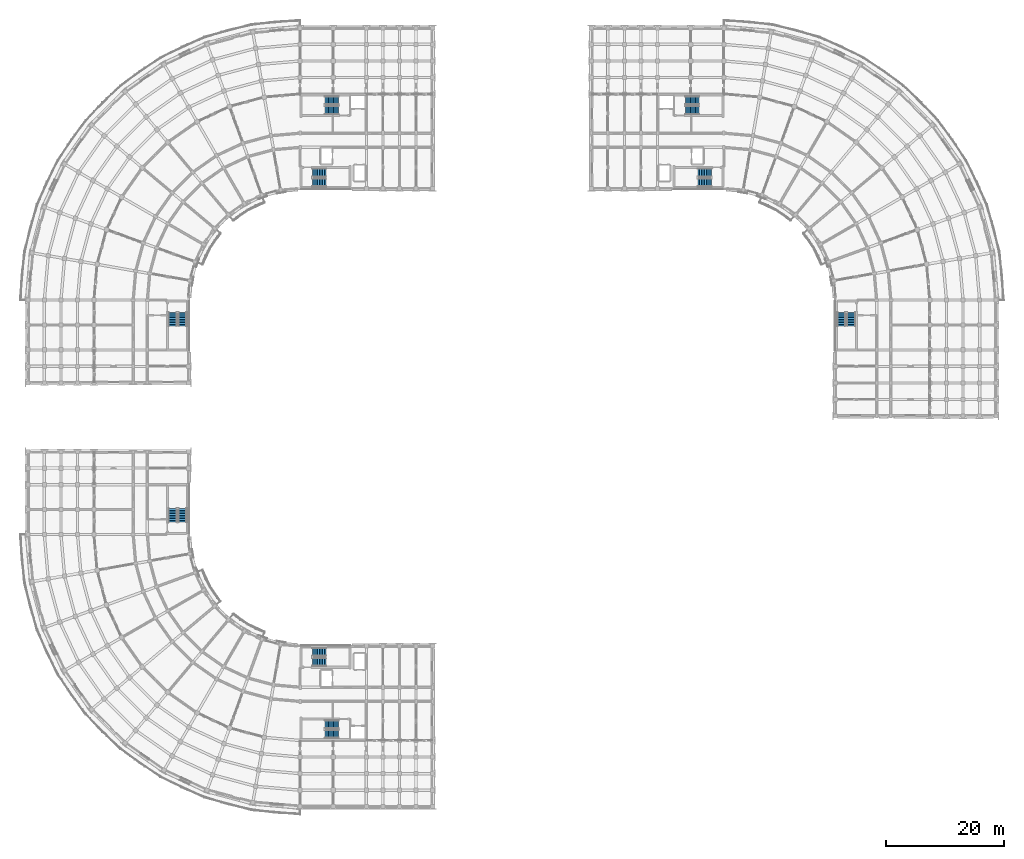
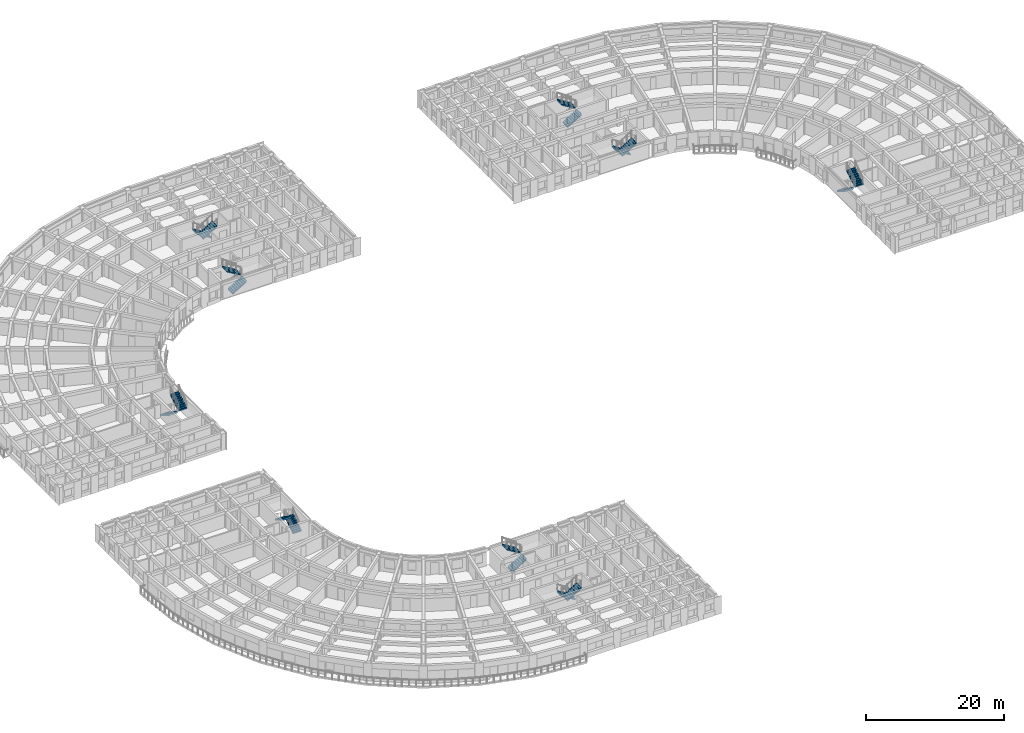
# One storey, part 39 of 57: 18 stair flights, 9 elements without a shape of their own.
"""IFC4 building model written with IfcOpenShell, lengths in metres."""

from ifc_helpers import new_model, si_unit, direction, frame, origin, place, context, subcontext, project, spatial, polyline, outline, extrude, material, type_object, element, aggregate, save


model = new_model("IFC4")

# Units and contexts
model_context = context("Model", 3, precision=1e-05, world=origin(), true_north=direction((0.0, 1.0)))
body_context = subcontext(model_context, "Body", "Model", "MODEL_VIEW")
ifc_project = project(units=[si_unit("LENGTHUNIT", "METRE"), si_unit("AREAUNIT", "SQUARE_METRE"), si_unit("VOLUMEUNIT", "CUBIC_METRE"), si_unit("PLANEANGLEUNIT", "RADIAN"), si_unit("MASSUNIT", "GRAM", prefix="KILO")], contexts=[model_context])

# Site, building, storey
site_placement = place(None, origin())
site = spatial("IfcSite", under=ifc_project, at=site_placement, CompositionType="ELEMENT")
building_placement = place(site_placement, origin())
building = spatial("IfcBuilding", under=site, at=building_placement, Name="Kiranvali Square Residences", CompositionType="ELEMENT")
storey_placement = place(building_placement, frame((0.0, 0.0, 18.14990234375)))
storey = spatial("IfcBuildingStorey", under=building, at=storey_placement, Name="L05", CompositionType="ELEMENT", Elevation=18.14990234375)

# Stair, stair flights
ifc_material = material(Name="Concrete M35 (35 MPa)", Category="concrete")
stair_type = type_object("IfcStairType", Name="ST-CORE-1700", PredefinedType="HALF_TURN_STAIR", material=ifc_material)
stair_1_placement = place(storey_placement, origin())
stair_1 = element("IfcStair", 1, at=stair_1_placement, inside=storey, type_object=stair_type, Name="L05 Block A Firefighting Exit Stair 1", PredefinedType="HALF_TURN_STAIR")
stair_flight_type = type_object("IfcStairFlightType", Name="STF-1700", PredefinedType="STRAIGHT", material=ifc_material)
stair_flight_1_placement = place(storey_placement, frame((54.699951171875, 121.52490234375, 0.0), z_axis=(0.0, 0.0, 1.0), x_axis=(-1.0, 0.0, 0.0)))
stair_flight_1 = element("IfcStairFlight", 2, at=stair_flight_1_placement, type_object=stair_flight_type, Name="ST-A1 flight 1", NumberOfRisers=9, NumberOfTreads=8, PredefinedType="STRAIGHT", RiserHeight=0.175, TreadLength=0.285, context=body_context, shape_type="SweptSolid", body=[
    extrude(outline(polyline([(-0.02001953125, -0.14990234375), (-0.02001953125, 0.0), (0.0, 0.0), (0.0, 0.175048828125), (0.284912109375, 0.175048828125), (0.284912109375, 0.35009765625), (0.570068359375, 0.35009765625), (0.570068359375, 0.52490234375), (0.85498046875, 0.52490234375), (0.85498046875, 0.699951171875), (1.139892578125, 0.699951171875), (1.139892578125, 0.875), (1.425048828125, 0.875), (1.425048828125, 1.050048828125), (1.7099609375, 1.050048828125), (1.7099609375, 1.22509765625), (1.9951171875, 1.22509765625), (1.9951171875, 1.39990234375), (2.280029296875, 1.39990234375), (2.280029296875, 1.574951171875), (2.300048828125, 1.574951171875), (2.300048828125, 1.22412109375), (2.280029296875, 1.22412109375), (0.0, -0.14990234375), (-0.02001953125, -0.14990234375)])), frame((0.0, 0.72509765625, 0.0), z_axis=(0.0, -1.0, 0.0), x_axis=(1.0, 0.0, 0.0)), (0.0, 0.0, 1.0), 1.449951171875),
])
stair_flight_2_placement = place(storey_placement, frame((52.419921875, 119.875, 1.5751953125), z_axis=(0.0, 0.0, 1.0), x_axis=(1.0, 0.0, 0.0)))
stair_flight_2 = element("IfcStairFlight", 3, at=stair_flight_2_placement, type_object=stair_flight_type, Name="ST-A1 flight 2", NumberOfRisers=9, NumberOfTreads=8, PredefinedType="STRAIGHT", RiserHeight=0.175, TreadLength=0.285, context=body_context, shape_type="SweptSolid", body=[
    extrude(outline(polyline([(-0.02001953125, -0.14990234375), (-0.02001953125, 0.0), (0.0, 0.0), (0.0, 0.175048828125), (0.284912109375, 0.175048828125), (0.284912109375, 0.35009765625), (0.570068359375, 0.35009765625), (0.570068359375, 0.52490234375), (0.85498046875, 0.52490234375), (0.85498046875, 0.699951171875), (1.139892578125, 0.699951171875), (1.139892578125, 0.875), (1.425048828125, 0.875), (1.425048828125, 1.050048828125), (1.7099609375, 1.050048828125), (1.7099609375, 1.22509765625), (1.9951171875, 1.22509765625), (1.9951171875, 1.39990234375), (2.280029296875, 1.39990234375), (2.280029296875, 1.574951171875), (2.300048828125, 1.574951171875), (2.300048828125, 1.22412109375), (2.280029296875, 1.22412109375), (0.0, -0.14990234375), (-0.02001953125, -0.14990234375)])), frame((0.0, 0.72509765625, 0.0), z_axis=(0.0, -1.0, 0.0), x_axis=(1.0, 0.0, 0.0)), (0.0, 0.0, 1.0), 1.449951171875),
])
aggregate(stair_1, [stair_flight_1, stair_flight_2])

stair_2_placement = place(storey_placement, origin())
stair_2 = element("IfcStair", 4, at=stair_2_placement, inside=storey, type_object=stair_type, Name="L05 Block A Protected Exit Stair 2", PredefinedType="HALF_TURN_STAIR")
stair_flight_3_placement = place(storey_placement, frame((50.300048828125, 107.675048828125, 0.0), z_axis=(0.0, 0.0, 1.0), x_axis=(1.0, 0.0, 0.0)))
stair_flight_3 = element("IfcStairFlight", 5, at=stair_flight_3_placement, type_object=stair_flight_type, Name="ST-A2 flight 1", NumberOfRisers=9, NumberOfTreads=8, PredefinedType="STRAIGHT", RiserHeight=0.175, TreadLength=0.285, context=body_context, shape_type="SweptSolid", body=[
    extrude(outline(polyline([(-0.02001953125, -0.14990234375), (-0.02001953125, 0.0), (0.0, 0.0), (0.0, 0.175048828125), (0.284912109375, 0.175048828125), (0.284912109375, 0.35009765625), (0.570068359375, 0.35009765625), (0.570068359375, 0.52490234375), (0.85498046875, 0.52490234375), (0.85498046875, 0.699951171875), (1.139892578125, 0.699951171875), (1.139892578125, 0.875), (1.425048828125, 0.875), (1.425048828125, 1.050048828125), (1.7099609375, 1.050048828125), (1.7099609375, 1.22509765625), (1.9951171875, 1.22509765625), (1.9951171875, 1.39990234375), (2.280029296875, 1.39990234375), (2.280029296875, 1.574951171875), (2.300048828125, 1.574951171875), (2.300048828125, 1.22412109375), (2.280029296875, 1.22412109375), (0.0, -0.14990234375), (-0.02001953125, -0.14990234375)])), frame((0.0, 0.72509765625, 0.0), z_axis=(0.0, -1.0, 0.0), x_axis=(1.0, 0.0, 0.0)), (0.0, 0.0, 1.0), 1.449951171875),
])
stair_flight_4_placement = place(storey_placement, frame((52.580078125, 109.324951171875, 1.5751953125), z_axis=(0.0, 0.0, 1.0), x_axis=(-1.0, 0.0, 0.0)))
stair_flight_4 = element("IfcStairFlight", 6, at=stair_flight_4_placement, type_object=stair_flight_type, Name="ST-A2 flight 2", NumberOfRisers=9, NumberOfTreads=8, PredefinedType="STRAIGHT", RiserHeight=0.175, TreadLength=0.285, context=body_context, shape_type="SweptSolid", body=[
    extrude(outline(polyline([(-0.02001953125, -0.14990234375), (-0.02001953125, 0.0), (0.0, 0.0), (0.0, 0.175048828125), (0.284912109375, 0.175048828125), (0.284912109375, 0.35009765625), (0.570068359375, 0.35009765625), (0.570068359375, 0.52490234375), (0.85498046875, 0.52490234375), (0.85498046875, 0.699951171875), (1.139892578125, 0.699951171875), (1.139892578125, 0.875), (1.425048828125, 0.875), (1.425048828125, 1.050048828125), (1.7099609375, 1.050048828125), (1.7099609375, 1.22509765625), (1.9951171875, 1.22509765625), (1.9951171875, 1.39990234375), (2.280029296875, 1.39990234375), (2.280029296875, 1.574951171875), (2.300048828125, 1.574951171875), (2.300048828125, 1.22412109375), (2.280029296875, 1.22412109375), (0.0, -0.14990234375), (-0.02001953125, -0.14990234375)])), frame((0.0, 0.72509765625, 0.0), z_axis=(0.0, -1.0, 0.0), x_axis=(1.0, 0.0, 0.0)), (0.0, 0.0, 1.0), 1.449951171875),
])
aggregate(stair_2, [stair_flight_3, stair_flight_4])

stair_3_placement = place(storey_placement, origin())
stair_3 = element("IfcStair", 7, at=stair_3_placement, inside=storey, type_object=stair_type, Name="L05 Block A Wing Protected Exit Stair 3", PredefinedType="HALF_TURN_STAIR")
stair_flight_5_placement = place(storey_placement, frame((26.675048828125, 85.699951171875, 0.0), z_axis=(0.0, 0.0, 1.0), x_axis=(0.0, -1.0, 0.0)))
stair_flight_5 = element("IfcStairFlight", 8, at=stair_flight_5_placement, type_object=stair_flight_type, Name="ST-A3 flight 1", NumberOfRisers=9, NumberOfTreads=8, PredefinedType="STRAIGHT", RiserHeight=0.175, TreadLength=0.285, context=body_context, shape_type="SweptSolid", body=[
    extrude(outline(polyline([(-0.02001953125, -0.14990234375), (-0.02001953125, 0.0), (0.0, 0.0), (0.0, 0.175048828125), (0.284912109375, 0.175048828125), (0.284912109375, 0.35009765625), (0.570068359375, 0.35009765625), (0.570068359375, 0.52490234375), (0.85498046875, 0.52490234375), (0.85498046875, 0.699951171875), (1.139892578125, 0.699951171875), (1.139892578125, 0.875), (1.425048828125, 0.875), (1.425048828125, 1.050048828125), (1.7099609375, 1.050048828125), (1.7099609375, 1.22509765625), (1.9951171875, 1.22509765625), (1.9951171875, 1.39990234375), (2.280029296875, 1.39990234375), (2.280029296875, 1.574951171875), (2.300048828125, 1.574951171875), (2.300048828125, 1.22412109375), (2.280029296875, 1.22412109375), (0.0, -0.14990234375), (-0.02001953125, -0.14990234375)])), frame((0.0, 0.72509765625, 0.0), z_axis=(0.0, -1.0, 0.0), x_axis=(1.0, 0.0, 0.0)), (0.0, 0.0, 1.0), 1.449951171875),
])
stair_flight_6_placement = place(storey_placement, frame((28.324951171875, 83.419921875, 1.5751953125), z_axis=(0.0, 0.0, 1.0), x_axis=(0.0, 1.0, 0.0)))
stair_flight_6 = element("IfcStairFlight", 9, at=stair_flight_6_placement, type_object=stair_flight_type, Name="ST-A3 flight 2", NumberOfRisers=9, NumberOfTreads=8, PredefinedType="STRAIGHT", RiserHeight=0.175, TreadLength=0.285, context=body_context, shape_type="SweptSolid", body=[
    extrude(outline(polyline([(-0.02001953125, -0.14990234375), (-0.02001953125, 0.0), (0.0, 0.0), (0.0, 0.175048828125), (0.284912109375, 0.175048828125), (0.284912109375, 0.35009765625), (0.570068359375, 0.35009765625), (0.570068359375, 0.52490234375), (0.85498046875, 0.52490234375), (0.85498046875, 0.699951171875), (1.139892578125, 0.699951171875), (1.139892578125, 0.875), (1.425048828125, 0.875), (1.425048828125, 1.050048828125), (1.7099609375, 1.050048828125), (1.7099609375, 1.22509765625), (1.9951171875, 1.22509765625), (1.9951171875, 1.39990234375), (2.280029296875, 1.39990234375), (2.280029296875, 1.574951171875), (2.300048828125, 1.574951171875), (2.300048828125, 1.22412109375), (2.280029296875, 1.22412109375), (0.0, -0.14990234375), (-0.02001953125, -0.14990234375)])), frame((0.0, 0.72509765625, 0.0), z_axis=(0.0, -1.0, 0.0), x_axis=(1.0, 0.0, 0.0)), (0.0, 0.0, 1.0), 1.449951171875),
])
aggregate(stair_3, [stair_flight_5, stair_flight_6])

stair_4_placement = place(storey_placement, origin())
stair_4 = element("IfcStair", 10, at=stair_4_placement, inside=storey, type_object=stair_type, Name="L05 Block B Firefighting Exit Stair 1", PredefinedType="HALF_TURN_STAIR")
stair_flight_7_placement = place(storey_placement, frame((113.300048828125, 119.875, 0.0), z_axis=(0.0, 0.0, 1.0), x_axis=(1.0, 0.0, 0.0)))
stair_flight_7 = element("IfcStairFlight", 11, at=stair_flight_7_placement, type_object=stair_flight_type, Name="ST-B1 flight 1", NumberOfRisers=9, NumberOfTreads=8, PredefinedType="STRAIGHT", RiserHeight=0.175, TreadLength=0.285, context=body_context, shape_type="SweptSolid", body=[
    extrude(outline(polyline([(-0.02001953125, -0.14990234375), (-0.02001953125, 0.0), (0.0, 0.0), (0.0, 0.175048828125), (0.284912109375, 0.175048828125), (0.284912109375, 0.35009765625), (0.570068359375, 0.35009765625), (0.570068359375, 0.52490234375), (0.85498046875, 0.52490234375), (0.85498046875, 0.699951171875), (1.139892578125, 0.699951171875), (1.139892578125, 0.875), (1.425048828125, 0.875), (1.425048828125, 1.050048828125), (1.7099609375, 1.050048828125), (1.7099609375, 1.22509765625), (1.9951171875, 1.22509765625), (1.9951171875, 1.39990234375), (2.280029296875, 1.39990234375), (2.280029296875, 1.574951171875), (2.300048828125, 1.574951171875), (2.300048828125, 1.22412109375), (2.280029296875, 1.22412109375), (0.0, -0.14990234375), (-0.02001953125, -0.14990234375)])), frame((0.0, 0.72509765625, 0.0), z_axis=(0.0, -1.0, 0.0), x_axis=(1.0, 0.0, 0.0)), (0.0, 0.0, 1.0), 1.449951171875),
])
stair_flight_8_placement = place(storey_placement, frame((115.580078125, 121.52490234375, 1.5751953125), z_axis=(0.0, 0.0, 1.0), x_axis=(-1.0, 0.0, 0.0)))
stair_flight_8 = element("IfcStairFlight", 12, at=stair_flight_8_placement, type_object=stair_flight_type, Name="ST-B1 flight 2", NumberOfRisers=9, NumberOfTreads=8, PredefinedType="STRAIGHT", RiserHeight=0.175, TreadLength=0.285, context=body_context, shape_type="SweptSolid", body=[
    extrude(outline(polyline([(-0.02001953125, -0.14990234375), (-0.02001953125, 0.0), (0.0, 0.0), (0.0, 0.175048828125), (0.284912109375, 0.175048828125), (0.284912109375, 0.35009765625), (0.570068359375, 0.35009765625), (0.570068359375, 0.52490234375), (0.85498046875, 0.52490234375), (0.85498046875, 0.699951171875), (1.139892578125, 0.699951171875), (1.139892578125, 0.875), (1.425048828125, 0.875), (1.425048828125, 1.050048828125), (1.7099609375, 1.050048828125), (1.7099609375, 1.22509765625), (1.9951171875, 1.22509765625), (1.9951171875, 1.39990234375), (2.280029296875, 1.39990234375), (2.280029296875, 1.574951171875), (2.300048828125, 1.574951171875), (2.300048828125, 1.22412109375), (2.280029296875, 1.22412109375), (0.0, -0.14990234375), (-0.02001953125, -0.14990234375)])), frame((0.0, 0.72509765625, 0.0), z_axis=(0.0, -1.0, 0.0), x_axis=(1.0, 0.0, 0.0)), (0.0, 0.0, 1.0), 1.449951171875),
])
aggregate(stair_4, [stair_flight_7, stair_flight_8])

stair_5_placement = place(storey_placement, origin())
stair_5 = element("IfcStair", 13, at=stair_5_placement, inside=storey, type_object=stair_type, Name="L05 Block B Protected Exit Stair 2", PredefinedType="HALF_TURN_STAIR")
stair_flight_9_placement = place(storey_placement, frame((117.699951171875, 109.324951171875, 0.0), z_axis=(0.0, 0.0, 1.0), x_axis=(-1.0, 0.0, 0.0)))
stair_flight_9 = element("IfcStairFlight", 14, at=stair_flight_9_placement, type_object=stair_flight_type, Name="ST-B2 flight 1", NumberOfRisers=9, NumberOfTreads=8, PredefinedType="STRAIGHT", RiserHeight=0.175, TreadLength=0.285, context=body_context, shape_type="SweptSolid", body=[
    extrude(outline(polyline([(-0.02001953125, -0.14990234375), (-0.02001953125, 0.0), (0.0, 0.0), (0.0, 0.175048828125), (0.284912109375, 0.175048828125), (0.284912109375, 0.35009765625), (0.570068359375, 0.35009765625), (0.570068359375, 0.52490234375), (0.85498046875, 0.52490234375), (0.85498046875, 0.699951171875), (1.139892578125, 0.699951171875), (1.139892578125, 0.875), (1.425048828125, 0.875), (1.425048828125, 1.050048828125), (1.7099609375, 1.050048828125), (1.7099609375, 1.22509765625), (1.9951171875, 1.22509765625), (1.9951171875, 1.39990234375), (2.280029296875, 1.39990234375), (2.280029296875, 1.574951171875), (2.300048828125, 1.574951171875), (2.300048828125, 1.22412109375), (2.280029296875, 1.22412109375), (0.0, -0.14990234375), (-0.02001953125, -0.14990234375)])), frame((0.0, 0.72509765625, 0.0), z_axis=(0.0, -1.0, 0.0), x_axis=(1.0, 0.0, 0.0)), (0.0, 0.0, 1.0), 1.449951171875),
])
stair_flight_10_placement = place(storey_placement, frame((115.419921875, 107.675048828125, 1.5751953125), z_axis=(0.0, 0.0, 1.0), x_axis=(1.0, 0.0, 0.0)))
stair_flight_10 = element("IfcStairFlight", 15, at=stair_flight_10_placement, type_object=stair_flight_type, Name="ST-B2 flight 2", NumberOfRisers=9, NumberOfTreads=8, PredefinedType="STRAIGHT", RiserHeight=0.175, TreadLength=0.285, context=body_context, shape_type="SweptSolid", body=[
    extrude(outline(polyline([(-0.02001953125, -0.14990234375), (-0.02001953125, 0.0), (0.0, 0.0), (0.0, 0.175048828125), (0.284912109375, 0.175048828125), (0.284912109375, 0.35009765625), (0.570068359375, 0.35009765625), (0.570068359375, 0.52490234375), (0.85498046875, 0.52490234375), (0.85498046875, 0.699951171875), (1.139892578125, 0.699951171875), (1.139892578125, 0.875), (1.425048828125, 0.875), (1.425048828125, 1.050048828125), (1.7099609375, 1.050048828125), (1.7099609375, 1.22509765625), (1.9951171875, 1.22509765625), (1.9951171875, 1.39990234375), (2.280029296875, 1.39990234375), (2.280029296875, 1.574951171875), (2.300048828125, 1.574951171875), (2.300048828125, 1.22412109375), (2.280029296875, 1.22412109375), (0.0, -0.14990234375), (-0.02001953125, -0.14990234375)])), frame((0.0, 0.72509765625, 0.0), z_axis=(0.0, -1.0, 0.0), x_axis=(1.0, 0.0, 0.0)), (0.0, 0.0, 1.0), 1.449951171875),
])
aggregate(stair_5, [stair_flight_9, stair_flight_10])

stair_6_placement = place(storey_placement, origin())
stair_6 = element("IfcStair", 16, at=stair_6_placement, inside=storey, type_object=stair_type, Name="L05 Block B Wing Protected Exit Stair 3", PredefinedType="HALF_TURN_STAIR")
stair_flight_11_placement = place(storey_placement, frame((139.675048828125, 85.699951171875, 0.0), z_axis=(0.0, 0.0, 1.0), x_axis=(0.0, -1.0, 0.0)))
stair_flight_11 = element("IfcStairFlight", 17, at=stair_flight_11_placement, type_object=stair_flight_type, Name="ST-B3 flight 1", NumberOfRisers=9, NumberOfTreads=8, PredefinedType="STRAIGHT", RiserHeight=0.175, TreadLength=0.285, context=body_context, shape_type="SweptSolid", body=[
    extrude(outline(polyline([(-0.02001953125, -0.14990234375), (-0.02001953125, 0.0), (0.0, 0.0), (0.0, 0.175048828125), (0.284912109375, 0.175048828125), (0.284912109375, 0.35009765625), (0.570068359375, 0.35009765625), (0.570068359375, 0.52490234375), (0.85498046875, 0.52490234375), (0.85498046875, 0.699951171875), (1.139892578125, 0.699951171875), (1.139892578125, 0.875), (1.425048828125, 0.875), (1.425048828125, 1.050048828125), (1.7099609375, 1.050048828125), (1.7099609375, 1.22509765625), (1.9951171875, 1.22509765625), (1.9951171875, 1.39990234375), (2.280029296875, 1.39990234375), (2.280029296875, 1.574951171875), (2.300048828125, 1.574951171875), (2.300048828125, 1.22412109375), (2.280029296875, 1.22412109375), (0.0, -0.14990234375), (-0.02001953125, -0.14990234375)])), frame((0.0, 0.72509765625, 0.0), z_axis=(0.0, -1.0, 0.0), x_axis=(1.0, 0.0, 0.0)), (0.0, 0.0, 1.0), 1.449951171875),
])
stair_flight_12_placement = place(storey_placement, frame((141.324951171875, 83.419921875, 1.5751953125), z_axis=(0.0, 0.0, 1.0), x_axis=(0.0, 1.0, 0.0)))
stair_flight_12 = element("IfcStairFlight", 18, at=stair_flight_12_placement, type_object=stair_flight_type, Name="ST-B3 flight 2", NumberOfRisers=9, NumberOfTreads=8, PredefinedType="STRAIGHT", RiserHeight=0.175, TreadLength=0.285, context=body_context, shape_type="SweptSolid", body=[
    extrude(outline(polyline([(-0.02001953125, -0.14990234375), (-0.02001953125, 0.0), (0.0, 0.0), (0.0, 0.175048828125), (0.284912109375, 0.175048828125), (0.284912109375, 0.35009765625), (0.570068359375, 0.35009765625), (0.570068359375, 0.52490234375), (0.85498046875, 0.52490234375), (0.85498046875, 0.699951171875), (1.139892578125, 0.699951171875), (1.139892578125, 0.875), (1.425048828125, 0.875), (1.425048828125, 1.050048828125), (1.7099609375, 1.050048828125), (1.7099609375, 1.22509765625), (1.9951171875, 1.22509765625), (1.9951171875, 1.39990234375), (2.280029296875, 1.39990234375), (2.280029296875, 1.574951171875), (2.300048828125, 1.574951171875), (2.300048828125, 1.22412109375), (2.280029296875, 1.22412109375), (0.0, -0.14990234375), (-0.02001953125, -0.14990234375)])), frame((0.0, 0.72509765625, 0.0), z_axis=(0.0, -1.0, 0.0), x_axis=(1.0, 0.0, 0.0)), (0.0, 0.0, 1.0), 1.449951171875),
])
aggregate(stair_6, [stair_flight_11, stair_flight_12])

stair_7_placement = place(storey_placement, origin())
stair_7 = element("IfcStair", 19, at=stair_7_placement, inside=storey, type_object=stair_type, Name="L05 Block C Firefighting Exit Stair 1", PredefinedType="HALF_TURN_STAIR")
stair_flight_13_placement = place(storey_placement, frame((54.699951171875, 16.125, 0.0), z_axis=(0.0, 0.0, 1.0), x_axis=(-1.0, 0.0, 0.0)))
stair_flight_13 = element("IfcStairFlight", 20, at=stair_flight_13_placement, type_object=stair_flight_type, Name="ST-C1 flight 1", NumberOfRisers=9, NumberOfTreads=8, PredefinedType="STRAIGHT", RiserHeight=0.175, TreadLength=0.285, context=body_context, shape_type="SweptSolid", body=[
    extrude(outline(polyline([(-0.02001953125, -0.14990234375), (-0.02001953125, 0.0), (0.0, 0.0), (0.0, 0.175048828125), (0.284912109375, 0.175048828125), (0.284912109375, 0.35009765625), (0.570068359375, 0.35009765625), (0.570068359375, 0.52490234375), (0.85498046875, 0.52490234375), (0.85498046875, 0.699951171875), (1.139892578125, 0.699951171875), (1.139892578125, 0.875), (1.425048828125, 0.875), (1.425048828125, 1.050048828125), (1.7099609375, 1.050048828125), (1.7099609375, 1.22509765625), (1.9951171875, 1.22509765625), (1.9951171875, 1.39990234375), (2.280029296875, 1.39990234375), (2.280029296875, 1.574951171875), (2.300048828125, 1.574951171875), (2.300048828125, 1.22412109375), (2.280029296875, 1.22412109375), (0.0, -0.14990234375), (-0.02001953125, -0.14990234375)])), frame((0.0, 0.72509765625, 0.0), z_axis=(0.0, -1.0, 0.0), x_axis=(1.0, 0.0, 0.0)), (0.0, 0.0, 1.0), 1.449951171875),
])
stair_flight_14_placement = place(storey_placement, frame((52.419921875, 14.47509765625, 1.5751953125), z_axis=(0.0, 0.0, 1.0), x_axis=(1.0, 0.0, 0.0)))
stair_flight_14 = element("IfcStairFlight", 21, at=stair_flight_14_placement, type_object=stair_flight_type, Name="ST-C1 flight 2", NumberOfRisers=9, NumberOfTreads=8, PredefinedType="STRAIGHT", RiserHeight=0.175, TreadLength=0.285, context=body_context, shape_type="SweptSolid", body=[
    extrude(outline(polyline([(-0.02001953125, -0.14990234375), (-0.02001953125, 0.0), (0.0, 0.0), (0.0, 0.175048828125), (0.284912109375, 0.175048828125), (0.284912109375, 0.35009765625), (0.570068359375, 0.35009765625), (0.570068359375, 0.52490234375), (0.85498046875, 0.52490234375), (0.85498046875, 0.699951171875), (1.139892578125, 0.699951171875), (1.139892578125, 0.875), (1.425048828125, 0.875), (1.425048828125, 1.050048828125), (1.7099609375, 1.050048828125), (1.7099609375, 1.22509765625), (1.9951171875, 1.22509765625), (1.9951171875, 1.39990234375), (2.280029296875, 1.39990234375), (2.280029296875, 1.574951171875), (2.300048828125, 1.574951171875), (2.300048828125, 1.22412109375), (2.280029296875, 1.22412109375), (0.0, -0.14990234375), (-0.02001953125, -0.14990234375)])), frame((0.0, 0.72509765625, 0.0), z_axis=(0.0, -1.0, 0.0), x_axis=(1.0, 0.0, 0.0)), (0.0, 0.0, 1.0), 1.449951171875),
])
aggregate(stair_7, [stair_flight_13, stair_flight_14])

stair_8_placement = place(storey_placement, origin())
stair_8 = element("IfcStair", 22, at=stair_8_placement, inside=storey, type_object=stair_type, Name="L05 Block C Protected Exit Stair 2", PredefinedType="HALF_TURN_STAIR")
stair_flight_15_placement = place(storey_placement, frame((50.300048828125, 26.675048828125, 0.0), z_axis=(0.0, 0.0, 1.0), x_axis=(1.0, 0.0, 0.0)))
stair_flight_15 = element("IfcStairFlight", 23, at=stair_flight_15_placement, type_object=stair_flight_type, Name="ST-C2 flight 1", NumberOfRisers=9, NumberOfTreads=8, PredefinedType="STRAIGHT", RiserHeight=0.175, TreadLength=0.285, context=body_context, shape_type="SweptSolid", body=[
    extrude(outline(polyline([(-0.02001953125, -0.14990234375), (-0.02001953125, 0.0), (0.0, 0.0), (0.0, 0.175048828125), (0.284912109375, 0.175048828125), (0.284912109375, 0.35009765625), (0.570068359375, 0.35009765625), (0.570068359375, 0.52490234375), (0.85498046875, 0.52490234375), (0.85498046875, 0.699951171875), (1.139892578125, 0.699951171875), (1.139892578125, 0.875), (1.425048828125, 0.875), (1.425048828125, 1.050048828125), (1.7099609375, 1.050048828125), (1.7099609375, 1.22509765625), (1.9951171875, 1.22509765625), (1.9951171875, 1.39990234375), (2.280029296875, 1.39990234375), (2.280029296875, 1.574951171875), (2.300048828125, 1.574951171875), (2.300048828125, 1.22412109375), (2.280029296875, 1.22412109375), (0.0, -0.14990234375), (-0.02001953125, -0.14990234375)])), frame((0.0, 0.72509765625, 0.0), z_axis=(0.0, -1.0, 0.0), x_axis=(1.0, 0.0, 0.0)), (0.0, 0.0, 1.0), 1.449951171875),
])
stair_flight_16_placement = place(storey_placement, frame((52.580078125, 28.324951171875, 1.5751953125), z_axis=(0.0, 0.0, 1.0), x_axis=(-1.0, 0.0, 0.0)))
stair_flight_16 = element("IfcStairFlight", 24, at=stair_flight_16_placement, type_object=stair_flight_type, Name="ST-C2 flight 2", NumberOfRisers=9, NumberOfTreads=8, PredefinedType="STRAIGHT", RiserHeight=0.175, TreadLength=0.285, context=body_context, shape_type="SweptSolid", body=[
    extrude(outline(polyline([(-0.02001953125, -0.14990234375), (-0.02001953125, 0.0), (0.0, 0.0), (0.0, 0.175048828125), (0.284912109375, 0.175048828125), (0.284912109375, 0.35009765625), (0.570068359375, 0.35009765625), (0.570068359375, 0.52490234375), (0.85498046875, 0.52490234375), (0.85498046875, 0.699951171875), (1.139892578125, 0.699951171875), (1.139892578125, 0.875), (1.425048828125, 0.875), (1.425048828125, 1.050048828125), (1.7099609375, 1.050048828125), (1.7099609375, 1.22509765625), (1.9951171875, 1.22509765625), (1.9951171875, 1.39990234375), (2.280029296875, 1.39990234375), (2.280029296875, 1.574951171875), (2.300048828125, 1.574951171875), (2.300048828125, 1.22412109375), (2.280029296875, 1.22412109375), (0.0, -0.14990234375), (-0.02001953125, -0.14990234375)])), frame((0.0, 0.72509765625, 0.0), z_axis=(0.0, -1.0, 0.0), x_axis=(1.0, 0.0, 0.0)), (0.0, 0.0, 1.0), 1.449951171875),
])
aggregate(stair_8, [stair_flight_15, stair_flight_16])

stair_9_placement = place(storey_placement, origin())
stair_9 = element("IfcStair", 25, at=stair_9_placement, inside=storey, type_object=stair_type, Name="L05 Block C Wing Protected Exit Stair 3", PredefinedType="HALF_TURN_STAIR")
stair_flight_17_placement = place(storey_placement, frame((28.324951171875, 50.300048828125, 0.0), z_axis=(0.0, 0.0, 1.0), x_axis=(0.0, 1.0, 0.0)))
stair_flight_17 = element("IfcStairFlight", 26, at=stair_flight_17_placement, type_object=stair_flight_type, Name="ST-C3 flight 1", NumberOfRisers=9, NumberOfTreads=8, PredefinedType="STRAIGHT", RiserHeight=0.175, TreadLength=0.285, context=body_context, shape_type="SweptSolid", body=[
    extrude(outline(polyline([(-0.02001953125, -0.14990234375), (-0.02001953125, 0.0), (0.0, 0.0), (0.0, 0.175048828125), (0.284912109375, 0.175048828125), (0.284912109375, 0.35009765625), (0.570068359375, 0.35009765625), (0.570068359375, 0.52490234375), (0.85498046875, 0.52490234375), (0.85498046875, 0.699951171875), (1.139892578125, 0.699951171875), (1.139892578125, 0.875), (1.425048828125, 0.875), (1.425048828125, 1.050048828125), (1.7099609375, 1.050048828125), (1.7099609375, 1.22509765625), (1.9951171875, 1.22509765625), (1.9951171875, 1.39990234375), (2.280029296875, 1.39990234375), (2.280029296875, 1.574951171875), (2.300048828125, 1.574951171875), (2.300048828125, 1.22412109375), (2.280029296875, 1.22412109375), (0.0, -0.14990234375), (-0.02001953125, -0.14990234375)])), frame((0.0, 0.72509765625, 0.0), z_axis=(0.0, -1.0, 0.0), x_axis=(1.0, 0.0, 0.0)), (0.0, 0.0, 1.0), 1.449951171875),
])
stair_flight_18_placement = place(storey_placement, frame((26.675048828125, 52.580078125, 1.5751953125), z_axis=(0.0, 0.0, 1.0), x_axis=(0.0, -1.0, 0.0)))
stair_flight_18 = element("IfcStairFlight", 27, at=stair_flight_18_placement, type_object=stair_flight_type, Name="ST-C3 flight 2", NumberOfRisers=9, NumberOfTreads=8, PredefinedType="STRAIGHT", RiserHeight=0.175, TreadLength=0.285, context=body_context, shape_type="SweptSolid", body=[
    extrude(outline(polyline([(-0.02001953125, -0.14990234375), (-0.02001953125, 0.0), (0.0, 0.0), (0.0, 0.175048828125), (0.284912109375, 0.175048828125), (0.284912109375, 0.35009765625), (0.570068359375, 0.35009765625), (0.570068359375, 0.52490234375), (0.85498046875, 0.52490234375), (0.85498046875, 0.699951171875), (1.139892578125, 0.699951171875), (1.139892578125, 0.875), (1.425048828125, 0.875), (1.425048828125, 1.050048828125), (1.7099609375, 1.050048828125), (1.7099609375, 1.22509765625), (1.9951171875, 1.22509765625), (1.9951171875, 1.39990234375), (2.280029296875, 1.39990234375), (2.280029296875, 1.574951171875), (2.300048828125, 1.574951171875), (2.300048828125, 1.22412109375), (2.280029296875, 1.22412109375), (0.0, -0.14990234375), (-0.02001953125, -0.14990234375)])), frame((0.0, 0.72509765625, 0.0), z_axis=(0.0, -1.0, 0.0), x_axis=(1.0, 0.0, 0.0)), (0.0, 0.0, 1.0), 1.449951171875),
])
aggregate(stair_9, [stair_flight_17, stair_flight_18])

save(model, "model.ifc")
